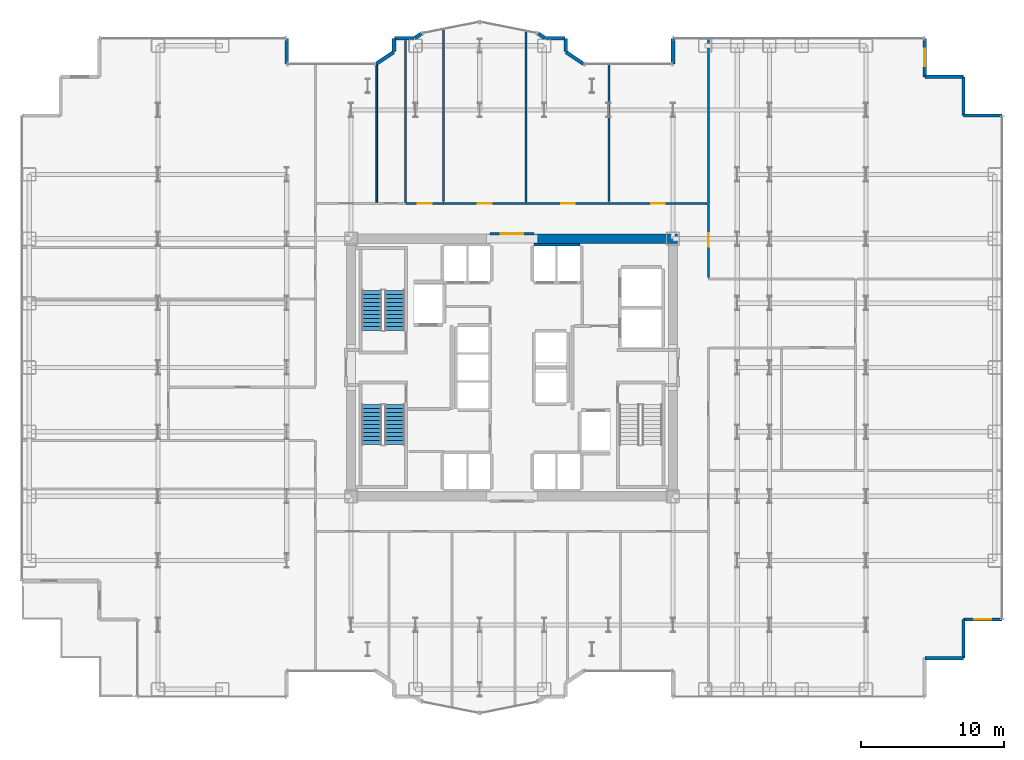
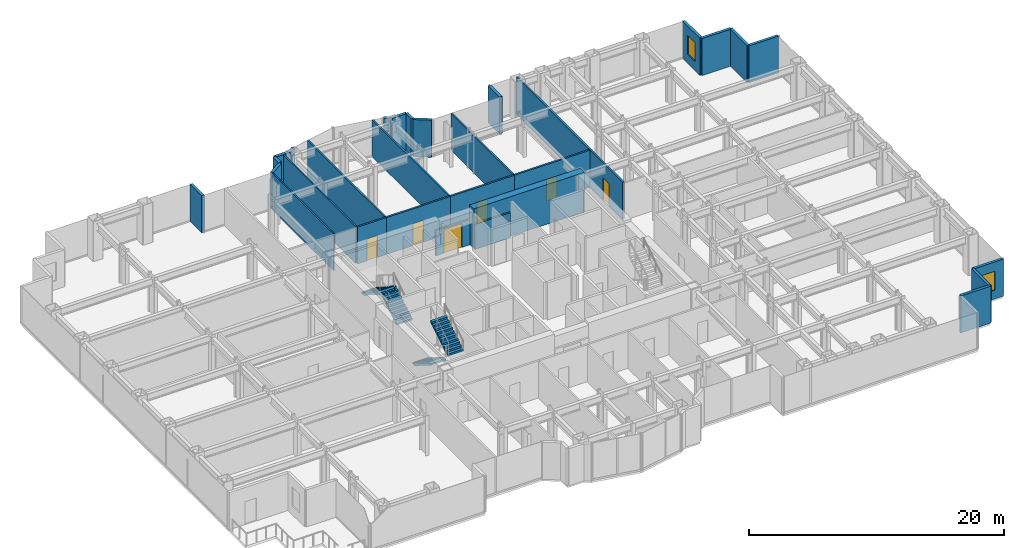
# One storey, part 24 of 27: 30 walls, 6 doors, 4 stair flights, 2 windows, 8 openings, 2 elements without a shape of their own.
"""IFC4 building model written with IfcOpenShell, lengths in metres."""

from ifc_helpers import new_model, si_unit, direction, frame, frame_2d, origin, place, context, subcontext, project, spatial, polyline, rectangle, outline, extrude, source, transform, mapped, material, layer, layer_set, type_object, element, fill, aggregate, save


model = new_model("IFC4")

# Units and contexts
model_context = context("Model", 3, precision=1e-05, world=origin(), true_north=direction((0.0, 1.0)))
body_context = subcontext(model_context, "Body", "Model", "MODEL_VIEW")
ifc_project = project(units=[si_unit("LENGTHUNIT", "METRE"), si_unit("AREAUNIT", "SQUARE_METRE"), si_unit("VOLUMEUNIT", "CUBIC_METRE"), si_unit("PLANEANGLEUNIT", "RADIAN"), si_unit("MASSUNIT", "GRAM", prefix="KILO")], contexts=[model_context])

# Site, building, storey
site_placement = place(None, origin())
site = spatial("IfcSite", under=ifc_project, at=site_placement, CompositionType="ELEMENT")
building_placement = place(site_placement, origin())
building = spatial("IfcBuilding", under=site, at=building_placement, Name="Nefas-Gora Pilgrimage Tower", CompositionType="ELEMENT")
storey_placement = place(building_placement, frame((0.0, 0.0, 48.199951171875)))
storey = spatial("IfcBuildingStorey", under=building, at=storey_placement, Name="L10", CompositionType="ELEMENT", Elevation=48.199951171875)

# Walls
ifc_material_1 = material(Name="Concrete C60/75", Category="concrete")
ifc_layer_1 = layer(ifc_material_1, 0.64990234375)
ifc_layer_set_1 = layer_set([ifc_layer_1], Name="Concrete C60/75")
wall_type_1 = type_object("IfcWallType", Name="SW-CORE-650", PredefinedType="SHEAR", material=ifc_layer_set_1)
shared_shape_1 = source(origin(), body_context, "Body", "SweptSolid", [
    extrude(rectangle(XDim=10.02490234375, YDim=0.64990234375, at=frame_2d((5.012451171875, 0.0))), origin(), (0.0, 0.0, 1.0), 3.800048828125),
])
wall_1_placement = place(storey_placement, frame((1.550048828125, 9.0, 0.0), z_axis=(0.0, 0.0, 1.0), x_axis=(1.0, 0.0, 0.0)))
element("IfcWall", 1, at=wall_1_placement, inside=storey, type_object=wall_type_1, Name="L10 Core Shear Wall N-East", PredefinedType="SHEAR", context=body_context, shape_type="MappedRepresentation", body=[
    mapped(shared_shape_1, transform((0.0, 0.0, 0.0), x_axis=(1.0, 0.0, 0.0), y_axis=(0.0, 1.0, 0.0), z_axis=(0.0, 0.0, 1.0), scale=1.0)),
])
ifc_material_2 = material(Name="Precast concrete C40/50", Category="concrete")
ifc_layer_2 = layer(ifc_material_2, 0.260009765625)
ifc_layer_set_2 = layer_set([ifc_layer_2], Name="Precast concrete C40/50")
wall_type_2 = type_object("IfcWallType", Name="EW-PORTAL-260", PredefinedType="SOLIDWALL", material=ifc_layer_set_2)
shared_shape_2 = source(origin(), body_context, "Body", "SweptSolid", [
    extrude(rectangle(XDim=1.800048828125, YDim=0.260009765625, at=frame_2d((0.89990234375, 0.0))), origin(), (0.0, 0.0, 1.0), 3.550048828125),
])
for number, where, z_axis, x_axis, name in (
    (2, (11.25, 23.02001953125, 0.0), (0.0, 0.0, 1.0), (0.0, -1.0, 0.0), "L10 Lobe Shoulder Precast Spandrel Pier 10"),
    (3, (-15.75, 21.219970703125, 0.0), (0.0, 0.0, 1.0), (0.0, 1.0, 0.0), "L10 Lobe Shoulder Precast Spandrel Pier 19"),
):
    element("IfcWall", number, at=place(storey_placement, frame(where, z_axis=z_axis, x_axis=x_axis)), inside=storey, type_object=wall_type_2, Name=name, PredefinedType="SOLIDWALL", context=body_context, shape_type="MappedRepresentation", body=[
        mapped(shared_shape_2, transform((0.0, 0.0, 0.0), x_axis=(1.0, 0.0, 0.0), y_axis=(0.0, 1.0, 0.0), z_axis=(0.0, 0.0, 1.0), scale=1.0)),
    ])
ifc_material_3 = material(Name="Precast concrete C45/55", Category="concrete")
ifc_layer_3 = layer(ifc_material_3, 0.239990234375)
ifc_layer_set_3 = layer_set([ifc_layer_3], Name="Precast concrete C45/55")
wall_type_3 = type_object("IfcWallType", Name="EW-SERR-240", PredefinedType="SHEAR", material=ifc_layer_set_3)
shared_shape_3 = source(origin(), body_context, "Body", "SweptSolid", [
    extrude(rectangle(XDim=2.699951171875, YDim=0.239990234375, at=frame_2d((1.35009765625, 0.0))), origin(), (0.0, 0.0, 1.0), 3.550048828125),
])
for number, where, z_axis, x_axis, name in (
    (4, (28.8701171875, -20.320068359375, 0.0), (0.0, 0.0, 1.0), (1.0, 0.0, 0.0), "L10 Serrated Corner Shear Pier Wall 3"),
    (5, (31.570068359375, -20.320068359375, 0.0), (0.0, 0.0, 1.0), (0.0, 1.0, 0.0), "L10 Serrated Corner Shear Pier Wall 4"),
):
    element("IfcWall", number, at=place(storey_placement, frame(where, z_axis=z_axis, x_axis=x_axis)), inside=storey, type_object=wall_type_3, Name=name, PredefinedType="SHEAR", context=body_context, shape_type="MappedRepresentation", body=[
        mapped(shared_shape_3, transform((0.0, 0.0, 0.0), x_axis=(1.0, 0.0, 0.0), y_axis=(0.0, 1.0, 0.0), z_axis=(0.0, 0.0, 1.0), scale=1.0)),
    ])

# Wall, opening, window
wall_2_placement = place(storey_placement, frame((31.570068359375, -17.6201171875, 0.0), z_axis=(0.0, 0.0, 1.0), x_axis=(1.0, 0.0, 0.0)))
wall_2 = element("IfcWall", 6, at=wall_2_placement, inside=storey, type_object=wall_type_3, Name="L10 Serrated Corner Shear Pier Wall 5", PredefinedType="SHEAR", context=body_context, shape_type="MappedRepresentation", body=[
    mapped(shared_shape_3, transform((0.0, 0.0, 0.0), x_axis=(1.0, 0.0, 0.0), y_axis=(0.0, 1.0, 0.0), z_axis=(0.0, 0.0, 1.0), scale=1.0)),
])
opening_1_placement = place(wall_2_placement, frame((0.75, 0.0, 0.85009765625)))
opening_1 = element("IfcOpeningElement", 7, at=opening_1_placement, cuts=wall_2, Name="Opening W-V1", PredefinedType="OPENING", context=body_context, shape_type="SweptSolid", body=[
    extrude(rectangle(XDim=1.199951171875, YDim=1.800048828125, at=frame_2d((0.60009765625, 0.89990234375))), frame((0.0, 0.1298828125, 0.0), z_axis=(0.0, -1.0, 0.0), x_axis=(1.0, 0.0, 0.0)), (0.0, 0.0, 1.0), 0.260009765625),
])
ifc_material_4 = material(Name="Dark ceramic-fritted operable aluminium-glass window", Category="aluminium")
window_type = type_object("IfcWindowType", Name="WIN-VENT-1200x1800", PartitioningType="SINGLE_PANEL", PredefinedType="WINDOW", material=ifc_material_4)
shared_shape_4 = source(origin(), body_context, "Body", "SweptSolid", [
    extrude(rectangle(XDim=1.199951171875, YDim=1.800048828125, at=frame_2d((0.60009765625, 0.89990234375))), frame((0.0, 0.030029296875, 0.0), z_axis=(0.0, -1.0, 0.0), x_axis=(1.0, 0.0, 0.0)), (0.0, 0.0, 1.0), 0.06005859375),
])
window_1_placement = place(opening_1_placement, origin())
window_1 = element("IfcWindow", 8, at=window_1_placement, inside=storey, type_object=window_type, Name="L10 Operable Parallel-Outswing Window 5", OverallHeight=1.800048828125, OverallWidth=1.199951171875, PartitioningType="SINGLE_PANEL", PredefinedType="WINDOW", context=body_context, shape_type="MappedRepresentation", body=[
    mapped(shared_shape_4, transform((0.0, 0.0, 0.0), x_axis=(1.0, 0.0, 0.0), y_axis=(0.0, 1.0, 0.0), z_axis=(0.0, 0.0, 1.0), scale=1.0)),
])
fill(opening_1, window_1)

# Walls
for number, where, z_axis, x_axis, name in (
    (9, (34.27001953125, 17.6201171875, 0.0), (0.0, 0.0, 1.0), (-1.0, 0.0, 0.0), "L10 Serrated Corner Shear Pier Wall 6"),
    (10, (31.570068359375, 17.6201171875, 0.0), (0.0, 0.0, 1.0), (0.0, 1.0, 0.0), "L10 Serrated Corner Shear Pier Wall 7"),
    (11, (31.570068359375, 20.320068359375, 0.0), (0.0, 0.0, 1.0), (-1.0, 0.0, 0.0), "L10 Serrated Corner Shear Pier Wall 8"),
):
    element("IfcWall", number, at=place(storey_placement, frame(where, z_axis=z_axis, x_axis=x_axis)), inside=storey, type_object=wall_type_3, Name=name, PredefinedType="SHEAR", context=body_context, shape_type="MappedRepresentation", body=[
        mapped(shared_shape_3, transform((0.0, 0.0, 0.0), x_axis=(1.0, 0.0, 0.0), y_axis=(0.0, 1.0, 0.0), z_axis=(0.0, 0.0, 1.0), scale=1.0)),
    ])

# Wall, opening, window
wall_3_placement = place(storey_placement, frame((28.8701171875, 20.320068359375, 0.0), z_axis=(0.0, 0.0, 1.0), x_axis=(0.0, 1.0, 0.0)))
wall_3 = element("IfcWall", 12, at=wall_3_placement, inside=storey, type_object=wall_type_3, Name="L10 Serrated Corner Shear Pier Wall 9", PredefinedType="SHEAR", context=body_context, shape_type="MappedRepresentation", body=[
    mapped(shared_shape_3, transform((0.0, 0.0, 0.0), x_axis=(1.0, 0.0, 0.0), y_axis=(0.0, 1.0, 0.0), z_axis=(0.0, 0.0, 1.0), scale=1.0)),
])
opening_2_placement = place(wall_3_placement, frame((0.75, 0.0, 0.85009765625)))
opening_2 = element("IfcOpeningElement", 13, at=opening_2_placement, cuts=wall_3, Name="Opening W-V1", PredefinedType="OPENING", context=body_context, shape_type="SweptSolid", body=[
    extrude(rectangle(XDim=1.199951171875, YDim=1.800048828125, at=frame_2d((0.60009765625, 0.89990234375))), frame((0.0, 0.1298828125, 0.0), z_axis=(0.0, -1.0, 0.0), x_axis=(1.0, 0.0, 0.0)), (0.0, 0.0, 1.0), 0.260009765625),
])
window_2_placement = place(opening_2_placement, origin())
window_2 = element("IfcWindow", 14, at=window_2_placement, inside=storey, type_object=window_type, Name="L10 Operable Parallel-Outswing Window 9", OverallHeight=1.800048828125, OverallWidth=1.199951171875, PartitioningType="SINGLE_PANEL", PredefinedType="WINDOW", context=body_context, shape_type="MappedRepresentation", body=[
    mapped(shared_shape_4, transform((0.0, 0.0, 0.0), x_axis=(1.0, 0.0, 0.0), y_axis=(0.0, 1.0, 0.0), z_axis=(0.0, 0.0, 1.0), scale=1.0)),
])
fill(opening_2, window_2)

# Walls
shared_shape_5 = source(origin(), body_context, "Body", "SweptSolid", [
    extrude(rectangle(XDim=1.468994140625, YDim=0.260009765625, at=frame_2d((0.734375, 0.0))), origin(), (0.0, 0.0, 1.0), 3.550048828125),
])
for number, where, z_axis, x_axis, name in (
    (15, (4.99462890625, 21.235595703125, 0.0), (0.0, 0.0, 1.0), (-0.831461760506, 0.555581983884, 0.0), "L10 Lobe Shoulder Precast Spandrel Pier 11"),
    (16, (-8.273193359375, 22.0517578125, 0.0), (0.0, 0.0, 1.0), (-0.831461760506, -0.555581983884, 0.0), "L10 Lobe Shoulder Precast Spandrel Pier 18"),
):
    element("IfcWall", number, at=place(storey_placement, frame(where, z_axis=z_axis, x_axis=x_axis)), inside=storey, type_object=wall_type_2, Name=name, PredefinedType="SOLIDWALL", context=body_context, shape_type="MappedRepresentation", body=[
        mapped(shared_shape_5, transform((0.0, 0.0, 0.0), x_axis=(1.0, 0.0, 0.0), y_axis=(0.0, 1.0, 0.0), z_axis=(0.0, 0.0, 1.0), scale=1.0)),
    ])
shared_shape_6 = source(origin(), body_context, "Body", "SweptSolid", [
    extrude(rectangle(XDim=0.896728515625, YDim=0.260009765625, at=frame_2d((0.4482421875, 0.0))), origin(), (0.0, 0.0, 1.0), 3.550048828125),
])
for number, where, z_axis, x_axis, name in (
    (17, (3.75, 22.09521484375, 0.0), (0.0, 0.0, 1.0), (0.0, 1.0, 0.0), "L10 Lobe Shoulder Precast Spandrel Pier 12"),
    (18, (-8.25, 22.991943359375, 0.0), (0.0, 0.0, 1.0), (0.0, -1.0, 0.0), "L10 Lobe Shoulder Precast Spandrel Pier 17"),
):
    element("IfcWall", number, at=place(storey_placement, frame(where, z_axis=z_axis, x_axis=x_axis)), inside=storey, type_object=wall_type_2, Name=name, PredefinedType="SOLIDWALL", context=body_context, shape_type="MappedRepresentation", body=[
        mapped(shared_shape_6, transform((0.0, 0.0, 0.0), x_axis=(1.0, 0.0, 0.0), y_axis=(0.0, 1.0, 0.0), z_axis=(0.0, 0.0, 1.0), scale=1.0)),
    ])
shared_shape_7 = source(origin(), body_context, "Body", "SweptSolid", [
    extrude(rectangle(XDim=1.369873046875, YDim=0.260009765625, at=frame_2d((0.68505859375, 0.0))), origin(), (0.0, 0.0, 1.0), 3.550048828125),
])
for number, where, z_axis, x_axis, name in (
    (19, (3.721923828125, 23.02001953125, 0.0), (0.0, 0.0, 1.0), (-1.0, 0.0, 0.0), "L10 Lobe Shoulder Precast Spandrel Pier 13"),
    (20, (-6.85205078125, 23.02001953125, 0.0), (0.0, 0.0, 1.0), (-1.0, 0.0, 0.0), "L10 Lobe Shoulder Precast Spandrel Pier 16"),
):
    element("IfcWall", number, at=place(storey_placement, frame(where, z_axis=z_axis, x_axis=x_axis)), inside=storey, type_object=wall_type_2, Name=name, PredefinedType="SOLIDWALL", context=body_context, shape_type="MappedRepresentation", body=[
        mapped(shared_shape_7, transform((0.0, 0.0, 0.0), x_axis=(1.0, 0.0, 0.0), y_axis=(0.0, 1.0, 0.0), z_axis=(0.0, 0.0, 1.0), scale=1.0)),
    ])
shared_shape_8 = source(origin(), body_context, "Body", "SweptSolid", [
    extrude(rectangle(XDim=0.5654296875, YDim=0.260009765625, at=frame_2d((0.28271484375, 0.0))), origin(), (0.0, 0.0, 1.0), 3.550048828125),
])
for number, where, z_axis, x_axis, name in (
    (21, (2.30078125, 23.03564453125, 0.0), (0.0, 0.0, 1.0), (-0.831651492666, 0.555297933317, 0.0), "L10 Lobe Shoulder Precast Spandrel Pier 14"),
    (22, (-6.33056640625, 23.349609375, 0.0), (0.0, 0.0, 1.0), (-0.831651492666, -0.555297933317, 0.0), "L10 Lobe Shoulder Precast Spandrel Pier 15"),
):
    element("IfcWall", number, at=place(storey_placement, frame(where, z_axis=z_axis, x_axis=x_axis)), inside=storey, type_object=wall_type_2, Name=name, PredefinedType="SOLIDWALL", context=body_context, shape_type="MappedRepresentation", body=[
        mapped(shared_shape_8, transform((0.0, 0.0, 0.0), x_axis=(1.0, 0.0, 0.0), y_axis=(0.0, 1.0, 0.0), z_axis=(0.0, 0.0, 1.0), scale=1.0)),
    ])
ifc_material_5 = material(Name="Gypsum acoustic stud partition")
ifc_layer_4 = layer(ifc_material_5, 0.159912109375)
ifc_layer_set_4 = layer_set([ifc_layer_4], Name="Gypsum acoustic stud partition")
wall_type_4 = type_object("IfcWallType", Name="IW-CORR-160", PredefinedType="PARTITIONING", material=ifc_layer_set_4)
shared_shape_9 = source(origin(), body_context, "Body", "SweptSolid", [
    extrude(rectangle(XDim=3.199951171875, YDim=0.159912109375, at=frame_2d((1.60009765625, 0.0))), origin(), (0.0, 0.0, 1.0), 2.425048828125),
])
wall_4_placement = place(storey_placement, frame((4.75, 8.580078125, 0.0), z_axis=(0.0, 0.0, 1.0), x_axis=(-1.0, 0.0, 0.0)))
element("IfcWall", 23, at=wall_4_placement, inside=storey, type_object=wall_type_4, Name="L10 Hoistway Wall PL1-E-N", PredefinedType="PARTITIONING", context=body_context, shape_type="MappedRepresentation", body=[
    mapped(shared_shape_9, transform((0.0, 0.0, 0.0), x_axis=(1.0, 0.0, 0.0), y_axis=(0.0, 1.0, 0.0), z_axis=(0.0, 0.0, 1.0), scale=1.0)),
])

# Wall, opening, door
shared_shape_10 = source(origin(), body_context, "Body", "SweptSolid", [
    extrude(rectangle(XDim=3.08984375, YDim=0.159912109375, at=frame_2d((1.544921875, 0.0))), origin(), (0.0, 0.0, 1.0), 2.425048828125),
])
wall_5_placement = place(storey_placement, frame((-1.544921875, 9.35009765625, 0.0), z_axis=(0.0, 0.0, 1.0), x_axis=(1.0, 0.0, 0.0)))
wall_5 = element("IfcWall", 24, at=wall_5_placement, inside=storey, type_object=wall_type_4, Name="L10 Central Lift Lobby North Portal Wall 13", PredefinedType="PARTITIONING", context=body_context, shape_type="MappedRepresentation", body=[
    mapped(shared_shape_10, transform((0.0, 0.0, 0.0), x_axis=(1.0, 0.0, 0.0), y_axis=(0.0, 1.0, 0.0), z_axis=(0.0, 0.0, 1.0), scale=1.0)),
])
opening_3_placement = place(wall_5_placement, frame((0.7451171875, 0.0, 0.0)))
opening_3 = element("IfcOpeningElement", 25, at=opening_3_placement, cuts=wall_5, Name="Opening ID-HL1", PredefinedType="OPENING", context=body_context, shape_type="SweptSolid", body=[
    extrude(rectangle(XDim=1.60009765625, YDim=2.300048828125, at=frame_2d((0.800048828125, 1.14990234375))), frame((0.0, 0.08984375, 0.0), z_axis=(0.0, -1.0, 0.0), x_axis=(1.0, 0.0, 0.0)), (0.0, 0.0, 1.0), 0.179931640625),
])
ifc_material_6 = material(Name="Double acoustic timber assembly hall door", Category="wood")
door_type_1 = type_object("IfcDoorType", Name="DR-INT-HALL-1600", OperationType="DOUBLE_DOOR_SINGLE_SWING", PredefinedType="DOOR", material=ifc_material_6)
shared_shape_11 = source(origin(), body_context, "Body", "SweptSolid", [
    extrude(rectangle(XDim=1.60009765625, YDim=2.300048828125, at=frame_2d((0.800048828125, 1.14990234375))), frame((0.0, 0.02490234375, 0.0), z_axis=(0.0, -1.0, 0.0), x_axis=(1.0, 0.0, 0.0)), (0.0, 0.0, 1.0), 0.050048828125),
])
door_1_placement = place(opening_3_placement, origin())
door_1 = element("IfcDoor", 26, at=door_1_placement, inside=storey, type_object=door_type_1, Name="L10 Central Lift Lobby North Portal Door 4", OperationType="DOUBLE_DOOR_SINGLE_SWING", OverallHeight=2.300048828125, OverallWidth=1.60009765625, PredefinedType="DOOR", context=body_context, shape_type="MappedRepresentation", body=[
    mapped(shared_shape_11, transform((0.0, 0.0, 0.0), x_axis=(1.0, 0.0, 0.0), y_axis=(0.0, 1.0, 0.0), z_axis=(0.0, 0.0, 1.0), scale=1.0)),
])
fill(opening_3, door_1)

# Walls
ifc_material_7 = material(Name="Moisture-resistant fire-rated gypsum partition")
ifc_layer_5 = layer(ifc_material_7, 0.1201171875)
ifc_layer_set_5 = layer_set([ifc_layer_5], Name="Moisture-resistant fire-rated gypsum partition")
wall_type_5 = type_object("IfcWallType", Name="IW-WET-120", PredefinedType="PLUMBINGWALL", material=ifc_layer_set_5)
shared_shape_12 = source(origin(), body_context, "Body", "SweptSolid", [
    extrude(rectangle(XDim=11.280029296875, YDim=0.1201171875, at=frame_2d((5.64013671875, 0.0))), origin(), (0.0, 0.0, 1.0), 3.53515625),
])
wall_6_placement = place(storey_placement, frame((-7.449951171875, 11.570068359375, 0.0), z_axis=(0.0, 0.0, 1.0), x_axis=(0.0, 1.0, 0.0)))
element("IfcWall", 27, at=wall_6_placement, inside=storey, type_object=wall_type_5, Name="L10 Accessible Unisex WC Partition Wall 21", PredefinedType="PLUMBINGWALL", context=body_context, shape_type="MappedRepresentation", body=[
    mapped(shared_shape_12, transform((0.0, 0.0, 0.0), x_axis=(1.0, 0.0, 0.0), y_axis=(0.0, 1.0, 0.0), z_axis=(0.0, 0.0, 1.0), scale=1.0)),
])
shared_shape_13 = source(origin(), body_context, "Body", "SweptSolid", [
    extrude(rectangle(XDim=9.586669921875, YDim=0.1201171875, at=frame_2d((4.79345703125, 0.0))), origin(), (0.0, 0.0, 1.0), 3.53515625),
])
wall_7_placement = place(storey_placement, frame((-9.449951171875, 11.570068359375, 0.0), z_axis=(0.0, 0.0, 1.0), x_axis=(0.0, 1.0, 0.0)))
element("IfcWall", 28, at=wall_7_placement, inside=storey, type_object=wall_type_5, Name="L10 Accessible Unisex WC Partition Wall 22", PredefinedType="PLUMBINGWALL", context=body_context, shape_type="MappedRepresentation", body=[
    mapped(shared_shape_13, transform((0.0, 0.0, 0.0), x_axis=(1.0, 0.0, 0.0), y_axis=(0.0, 1.0, 0.0), z_axis=(0.0, 0.0, 1.0), scale=1.0)),
])

# Wall, opening, door
shared_shape_14 = source(origin(), body_context, "Body", "SweptSolid", [
    extrude(rectangle(XDim=16.735107421875, YDim=0.159912109375, at=frame_2d((8.36767578125, 0.0))), origin(), (0.0, 0.0, 1.0), 3.53515625),
])
wall_8_placement = place(storey_placement, frame((13.739990234375, 6.304931640625, 0.0), z_axis=(0.0, 0.0, 1.0), x_axis=(0.0, 1.0, 0.0)))
wall_8 = element("IfcWall", 29, at=wall_8_placement, inside=storey, type_object=wall_type_4, Name="L10 Pilgrim Contemplative Lounge Partition Wall 43", PredefinedType="PARTITIONING", context=body_context, shape_type="MappedRepresentation", body=[
    mapped(shared_shape_14, transform((0.0, 0.0, 0.0), x_axis=(1.0, 0.0, 0.0), y_axis=(0.0, 1.0, 0.0), z_axis=(0.0, 0.0, 1.0), scale=1.0)),
])
opening_4_placement = place(wall_8_placement, frame((2.12744140625, 0.0, 0.0)))
opening_4 = element("IfcOpeningElement", 30, at=opening_4_placement, cuts=wall_8, Name="Opening ID-GR1", PredefinedType="OPENING", context=body_context, shape_type="SweptSolid", body=[
    extrude(rectangle(XDim=0.949951171875, YDim=2.10009765625, at=frame_2d((0.47509765625, 1.050048828125))), frame((0.0, 0.08984375, 0.0), z_axis=(0.0, -1.0, 0.0), x_axis=(1.0, 0.0, 0.0)), (0.0, 0.0, 1.0), 0.179931640625),
])
ifc_material_8 = material(Name="Solid core oak fire-rated guest entrance door")
door_type_2 = type_object("IfcDoorType", Name="DR-INT-GUEST-950", OperationType="NOTDEFINED", PredefinedType="DOOR", material=ifc_material_8)
shared_shape_15 = source(origin(), body_context, "Body", "SweptSolid", [
    extrude(rectangle(XDim=0.949951171875, YDim=2.10009765625, at=frame_2d((0.47509765625, 1.050048828125))), frame((0.0, 0.02490234375, 0.0), z_axis=(0.0, -1.0, 0.0), x_axis=(1.0, 0.0, 0.0)), (0.0, 0.0, 1.0), 0.050048828125),
])
door_2_placement = place(opening_4_placement, origin())
door_2 = element("IfcDoor", 31, at=door_2_placement, inside=storey, type_object=door_type_2, Name="L10 Pilgrim Contemplative Lounge Door 19", OperationType="SINGLE_SWING_RIGHT", OverallHeight=2.10009765625, OverallWidth=0.949951171875, PredefinedType="DOOR", context=body_context, shape_type="MappedRepresentation", body=[
    mapped(shared_shape_15, transform((0.0, 0.0, 0.0), x_axis=(1.0, 0.0, 0.0), y_axis=(0.0, 1.0, 0.0), z_axis=(0.0, 0.0, 1.0), scale=1.0)),
])
fill(opening_4, door_2)

shared_shape_16 = source(origin(), body_context, "Body", "SweptSolid", [
    extrude(rectangle(XDim=2.610107421875, YDim=0.159912109375, at=frame_2d((1.30517578125, 0.0))), origin(), (0.0, 0.0, 1.0), 3.53515625),
])
wall_9_placement = place(storey_placement, frame((-7.405029296875, 11.469970703125, 0.0), z_axis=(0.0, 0.0, 1.0), x_axis=(1.0, 0.0, 0.0)))
wall_9 = element("IfcWall", 32, at=wall_9_placement, inside=storey, type_object=wall_type_4, Name="L10 Pilgrim Contemplative Lounge Partition Wall 45", PredefinedType="PARTITIONING", context=body_context, shape_type="MappedRepresentation", body=[
    mapped(shared_shape_16, transform((0.0, 0.0, 0.0), x_axis=(1.0, 0.0, 0.0), y_axis=(0.0, 1.0, 0.0), z_axis=(0.0, 0.0, 1.0), scale=1.0)),
])
opening_5_placement = place(wall_9_placement, frame((0.830078125, 0.0, 0.0)))
opening_5 = element("IfcOpeningElement", 33, at=opening_5_placement, cuts=wall_9, Name="Opening ID-GR1", PredefinedType="OPENING", context=body_context, shape_type="SweptSolid", body=[
    extrude(rectangle(XDim=0.949951171875, YDim=2.10009765625, at=frame_2d((0.47509765625, 1.050048828125))), frame((0.0, 0.08984375, 0.0), z_axis=(0.0, -1.0, 0.0), x_axis=(1.0, 0.0, 0.0)), (0.0, 0.0, 1.0), 0.179931640625),
])
door_3_placement = place(opening_5_placement, origin())
door_3 = element("IfcDoor", 34, at=door_3_placement, inside=storey, type_object=door_type_2, Name="L10 Pilgrim Contemplative Lounge Door 21", OperationType="SINGLE_SWING_RIGHT", OverallHeight=2.10009765625, OverallWidth=0.949951171875, PredefinedType="DOOR", context=body_context, shape_type="MappedRepresentation", body=[
    mapped(shared_shape_15, transform((0.0, 0.0, 0.0), x_axis=(1.0, 0.0, 0.0), y_axis=(0.0, 1.0, 0.0), z_axis=(0.0, 0.0, 1.0), scale=1.0)),
])
fill(opening_5, door_3)

# Wall
ifc_material_9 = material(Name="Gypsum twin-stud partition")
ifc_layer_6 = layer(ifc_material_9, 0.139892578125)
ifc_layer_set_6 = layer_set([ifc_layer_6], Name="Gypsum twin-stud partition")
wall_type_6 = type_object("IfcWallType", Name="IW-UNIT-140", PredefinedType="PARTITIONING", material=ifc_layer_set_6)
shared_shape_17 = source(origin(), body_context, "Body", "SweptSolid", [
    extrude(rectangle(XDim=12.096435546875, YDim=0.139892578125, at=frame_2d((6.04833984375, 0.0))), origin(), (0.0, 0.0, 1.0), 3.53515625),
])
wall_10_placement = place(storey_placement, frame((-4.804931640625, 11.590087890625, 0.0), z_axis=(0.0, 0.0, 1.0), x_axis=(0.0, 1.0, 0.0)))
element("IfcWall", 35, at=wall_10_placement, inside=storey, type_object=wall_type_6, Name="L10 Pilgrim Contemplative Lounge Partition Wall 46", PredefinedType="PARTITIONING", context=body_context, shape_type="MappedRepresentation", body=[
    mapped(shared_shape_17, transform((0.0, 0.0, 0.0), x_axis=(1.0, 0.0, 0.0), y_axis=(0.0, 1.0, 0.0), z_axis=(0.0, 0.0, 1.0), scale=1.0)),
])

# Wall, opening, door
shared_shape_18 = source(origin(), body_context, "Body", "SweptSolid", [
    extrude(rectangle(XDim=5.804931640625, YDim=0.159912109375, at=frame_2d((2.90234375, 0.0))), origin(), (0.0, 0.0, 1.0), 3.53515625),
])
wall_11_placement = place(storey_placement, frame((-4.804931640625, 11.469970703125, 0.0), z_axis=(0.0, 0.0, 1.0), x_axis=(1.0, 0.0, 0.0)))
wall_11 = element("IfcWall", 36, at=wall_11_placement, inside=storey, type_object=wall_type_4, Name="L10 Pilgrim Contemplative Lounge Partition Wall 47", PredefinedType="PARTITIONING", context=body_context, shape_type="MappedRepresentation", body=[
    mapped(shared_shape_18, transform((0.0, 0.0, 0.0), x_axis=(1.0, 0.0, 0.0), y_axis=(0.0, 1.0, 0.0), z_axis=(0.0, 0.0, 1.0), scale=1.0)),
])
opening_6_placement = place(wall_11_placement, frame((2.427490234375, 0.0, 0.0)))
opening_6 = element("IfcOpeningElement", 37, at=opening_6_placement, cuts=wall_11, Name="Opening ID-GR1", PredefinedType="OPENING", context=body_context, shape_type="SweptSolid", body=[
    extrude(rectangle(XDim=0.949951171875, YDim=2.10009765625, at=frame_2d((0.47509765625, 1.050048828125))), frame((0.0, 0.08984375, 0.0), z_axis=(0.0, -1.0, 0.0), x_axis=(1.0, 0.0, 0.0)), (0.0, 0.0, 1.0), 0.179931640625),
])
door_4_placement = place(opening_6_placement, origin())
door_4 = element("IfcDoor", 38, at=door_4_placement, inside=storey, type_object=door_type_2, Name="L10 Pilgrim Contemplative Lounge Door 22", OperationType="SINGLE_SWING_LEFT", OverallHeight=2.10009765625, OverallWidth=0.949951171875, PredefinedType="DOOR", context=body_context, shape_type="MappedRepresentation", body=[
    mapped(shared_shape_15, transform((0.0, 0.0, 0.0), x_axis=(1.0, 0.0, 0.0), y_axis=(0.0, 1.0, 0.0), z_axis=(0.0, 0.0, 1.0), scale=1.0)),
])
fill(opening_6, door_4)

wall_12_placement = place(storey_placement, frame((1.0, 11.469970703125, 0.0), z_axis=(0.0, 0.0, 1.0), x_axis=(1.0, 0.0, 0.0)))
wall_12 = element("IfcWall", 39, at=wall_12_placement, inside=storey, type_object=wall_type_4, Name="L10 Pilgrim Contemplative Lounge Partition Wall 49", PredefinedType="PARTITIONING", context=body_context, shape_type="MappedRepresentation", body=[
    mapped(shared_shape_18, transform((0.0, 0.0, 0.0), x_axis=(1.0, 0.0, 0.0), y_axis=(0.0, 1.0, 0.0), z_axis=(0.0, 0.0, 1.0), scale=1.0)),
])
opening_7_placement = place(wall_12_placement, frame((2.427490234375, 0.0, 0.0)))
opening_7 = element("IfcOpeningElement", 40, at=opening_7_placement, cuts=wall_12, Name="Opening ID-GR1", PredefinedType="OPENING", context=body_context, shape_type="SweptSolid", body=[
    extrude(rectangle(XDim=0.949951171875, YDim=2.10009765625, at=frame_2d((0.47509765625, 1.050048828125))), frame((0.0, 0.08984375, 0.0), z_axis=(0.0, -1.0, 0.0), x_axis=(1.0, 0.0, 0.0)), (0.0, 0.0, 1.0), 0.179931640625),
])
door_5_placement = place(opening_7_placement, origin())
door_5 = element("IfcDoor", 41, at=door_5_placement, inside=storey, type_object=door_type_2, Name="L10 Pilgrim Contemplative Lounge Door 23", OperationType="SINGLE_SWING_RIGHT", OverallHeight=2.10009765625, OverallWidth=0.949951171875, PredefinedType="DOOR", context=body_context, shape_type="MappedRepresentation", body=[
    mapped(shared_shape_15, transform((0.0, 0.0, 0.0), x_axis=(1.0, 0.0, 0.0), y_axis=(0.0, 1.0, 0.0), z_axis=(0.0, 0.0, 1.0), scale=1.0)),
])
fill(opening_7, door_5)

# Wall
shared_shape_19 = source(origin(), body_context, "Body", "SweptSolid", [
    extrude(rectangle(XDim=9.64990234375, YDim=0.139892578125, at=frame_2d((4.824951171875, 0.0))), origin(), (0.0, 0.0, 1.0), 3.53515625),
])
wall_13_placement = place(storey_placement, frame((6.794921875, 11.590087890625, 0.0), z_axis=(0.0, 0.0, 1.0), x_axis=(0.0, 1.0, 0.0)))
element("IfcWall", 42, at=wall_13_placement, inside=storey, type_object=wall_type_6, Name="L10 Pilgrim Contemplative Lounge Partition Wall 50", PredefinedType="PARTITIONING", context=body_context, shape_type="MappedRepresentation", body=[
    mapped(shared_shape_19, transform((0.0, 0.0, 0.0), x_axis=(1.0, 0.0, 0.0), y_axis=(0.0, 1.0, 0.0), z_axis=(0.0, 0.0, 1.0), scale=1.0)),
])

# Wall, opening, door
shared_shape_20 = source(origin(), body_context, "Body", "SweptSolid", [
    extrude(rectangle(XDim=6.8251953125, YDim=0.159912109375, at=frame_2d((3.41259765625, 0.0))), origin(), (0.0, 0.0, 1.0), 3.53515625),
])
wall_14_placement = place(storey_placement, frame((6.794921875, 11.469970703125, 0.0), z_axis=(0.0, 0.0, 1.0), x_axis=(1.0, 0.0, 0.0)))
wall_14 = element("IfcWall", 43, at=wall_14_placement, inside=storey, type_object=wall_type_4, Name="L10 Pilgrim Contemplative Lounge Partition Wall 51", PredefinedType="PARTITIONING", context=body_context, shape_type="MappedRepresentation", body=[
    mapped(shared_shape_20, transform((0.0, 0.0, 0.0), x_axis=(1.0, 0.0, 0.0), y_axis=(0.0, 1.0, 0.0), z_axis=(0.0, 0.0, 1.0), scale=1.0)),
])
opening_8_placement = place(wall_14_placement, frame((2.9375, 0.0, 0.0)))
opening_8 = element("IfcOpeningElement", 44, at=opening_8_placement, cuts=wall_14, Name="Opening ID-GR1", PredefinedType="OPENING", context=body_context, shape_type="SweptSolid", body=[
    extrude(rectangle(XDim=0.949951171875, YDim=2.10009765625, at=frame_2d((0.47509765625, 1.050048828125))), frame((0.0, 0.08984375, 0.0), z_axis=(0.0, -1.0, 0.0), x_axis=(1.0, 0.0, 0.0)), (0.0, 0.0, 1.0), 0.179931640625),
])
door_6_placement = place(opening_8_placement, origin())
door_6 = element("IfcDoor", 45, at=door_6_placement, inside=storey, type_object=door_type_2, Name="L10 Pilgrim Contemplative Lounge Door 24", OperationType="SINGLE_SWING_LEFT", OverallHeight=2.10009765625, OverallWidth=0.949951171875, PredefinedType="DOOR", context=body_context, shape_type="MappedRepresentation", body=[
    mapped(shared_shape_15, transform((0.0, 0.0, 0.0), x_axis=(1.0, 0.0, 0.0), y_axis=(0.0, 1.0, 0.0), z_axis=(0.0, 0.0, 1.0), scale=1.0)),
])
fill(opening_8, door_6)

# Wall
shared_shape_21 = source(origin(), body_context, "Body", "SweptSolid", [
    extrude(rectangle(XDim=11.958251953125, YDim=0.139892578125, at=frame_2d((5.97900390625, 0.0))), origin(), (0.0, 0.0, 1.0), 3.53515625),
])
wall_15_placement = place(storey_placement, frame((0.989990234375, 11.590087890625, 0.0), z_axis=(0.0, 0.0, 1.0), x_axis=(0.0, 1.0, 0.0)))
element("IfcWall", 46, at=wall_15_placement, inside=storey, type_object=wall_type_6, Name="L10 Pilgrim Contemplative Lounge Partition Wall 48", PredefinedType="PARTITIONING", context=body_context, shape_type="MappedRepresentation", body=[
    mapped(shared_shape_21, transform((0.0, 0.0, 0.0), x_axis=(1.0, 0.0, 0.0), y_axis=(0.0, 1.0, 0.0), z_axis=(0.0, 0.0, 1.0), scale=1.0)),
])

# Stair, stair flights
ifc_material_10 = material(Name="Concrete C45/55", Category="concrete")
stair_type = type_object("IfcStairType", Name="STR-1400-R1727", PredefinedType="HALF_TURN_STAIR", material=ifc_material_10)
stair_1_placement = place(storey_placement, origin())
stair_1 = element("IfcStair", 47, at=stair_1_placement, inside=storey, type_object=stair_type, Name="L10 Pressurised Tower Exit Stair ST-01", PredefinedType="HALF_TURN_STAIR")
stair_flight_type = type_object("IfcStairFlightType", Name="STF-1400-R1727", PredefinedType="STRAIGHT", material=ifc_material_10)
shared_shape_22 = source(origin(), body_context, "Body", "SweptSolid", [
    extrude(outline(polyline([(0.0, 0.0), (0.0, 0.172607421875), (0.280029296875, 0.172607421875), (0.280029296875, 0.345458984375), (0.56005859375, 0.345458984375), (0.56005859375, 0.51806640625), (0.840087890625, 0.51806640625), (0.840087890625, 0.69091796875), (1.1201171875, 0.69091796875), (1.1201171875, 0.863525390625), (1.39990234375, 0.863525390625), (1.39990234375, 1.036376953125), (1.679931640625, 1.036376953125), (1.679931640625, 1.208984375), (1.9599609375, 1.208984375), (1.9599609375, 1.3818359375), (2.239990234375, 1.3818359375), (2.239990234375, 1.554443359375), (2.52001953125, 1.554443359375), (2.52001953125, 1.727294921875), (2.800048828125, 1.727294921875), (2.800048828125, 1.89990234375), (2.800048828125, 1.551025390625), (0.285400390625, 0.0), (0.0, 0.0)])), frame((0.0, 0.699951171875, 0.0), z_axis=(0.0, -1.0, 0.0), x_axis=(1.0, 0.0, 0.0)), (0.0, 0.0, 1.0), 1.39990234375),
])
stair_flight_1_placement = place(storey_placement, frame((-8.199951171875, 2.60009765625, 0.0), z_axis=(0.0, 0.0, 1.0), x_axis=(0.0, 1.0, 0.0)))
stair_flight_1 = element("IfcStairFlight", 48, at=stair_flight_1_placement, type_object=stair_flight_type, Name="ST-01 flight 1", NumberOfRisers=11, NumberOfTreads=10, PredefinedType="STRAIGHT", RiserHeight=0.172727273, TreadLength=0.28, context=body_context, shape_type="MappedRepresentation", body=[
    mapped(shared_shape_22, transform((0.0, 0.0, 0.0), x_axis=(1.0, 0.0, 0.0), y_axis=(0.0, 1.0, 0.0), z_axis=(0.0, 0.0, 1.0), scale=1.0)),
])
stair_flight_2_placement = place(storey_placement, frame((-9.800048828125, 5.39990234375, 1.900146484375), z_axis=(0.0, 0.0, 1.0), x_axis=(0.0, -1.0, 0.0)))
stair_flight_2 = element("IfcStairFlight", 49, at=stair_flight_2_placement, type_object=stair_flight_type, Name="ST-01 flight 2", NumberOfRisers=11, NumberOfTreads=10, PredefinedType="STRAIGHT", RiserHeight=0.172727273, TreadLength=0.28, context=body_context, shape_type="MappedRepresentation", body=[
    mapped(shared_shape_22, transform((0.0, 0.0, 0.0), x_axis=(1.0, 0.0, 0.0), y_axis=(0.0, 1.0, 0.0), z_axis=(0.0, 0.0, 1.0), scale=1.0)),
])
aggregate(stair_1, [stair_flight_1, stair_flight_2])

stair_2_placement = place(storey_placement, origin())
stair_2 = element("IfcStair", 50, at=stair_2_placement, inside=storey, type_object=stair_type, Name="L10 Pressurised Tower Exit Stair ST-03", PredefinedType="HALF_TURN_STAIR")
stair_flight_3_placement = place(storey_placement, frame((-9.800048828125, -2.60009765625, 0.0), z_axis=(0.0, 0.0, 1.0), x_axis=(0.0, -1.0, 0.0)))
stair_flight_3 = element("IfcStairFlight", 51, at=stair_flight_3_placement, type_object=stair_flight_type, Name="ST-03 flight 1", NumberOfRisers=11, NumberOfTreads=10, PredefinedType="STRAIGHT", RiserHeight=0.172727273, TreadLength=0.28, context=body_context, shape_type="MappedRepresentation", body=[
    mapped(shared_shape_22, transform((0.0, 0.0, 0.0), x_axis=(1.0, 0.0, 0.0), y_axis=(0.0, 1.0, 0.0), z_axis=(0.0, 0.0, 1.0), scale=1.0)),
])
stair_flight_4_placement = place(storey_placement, frame((-8.199951171875, -5.39990234375, 1.900146484375), z_axis=(0.0, 0.0, 1.0), x_axis=(0.0, 1.0, 0.0)))
stair_flight_4 = element("IfcStairFlight", 52, at=stair_flight_4_placement, type_object=stair_flight_type, Name="ST-03 flight 2", NumberOfRisers=11, NumberOfTreads=10, PredefinedType="STRAIGHT", RiserHeight=0.172727273, TreadLength=0.28, context=body_context, shape_type="MappedRepresentation", body=[
    mapped(shared_shape_22, transform((0.0, 0.0, 0.0), x_axis=(1.0, 0.0, 0.0), y_axis=(0.0, 1.0, 0.0), z_axis=(0.0, 0.0, 1.0), scale=1.0)),
])
aggregate(stair_2, [stair_flight_3, stair_flight_4])

save(model, "model.ifc")
